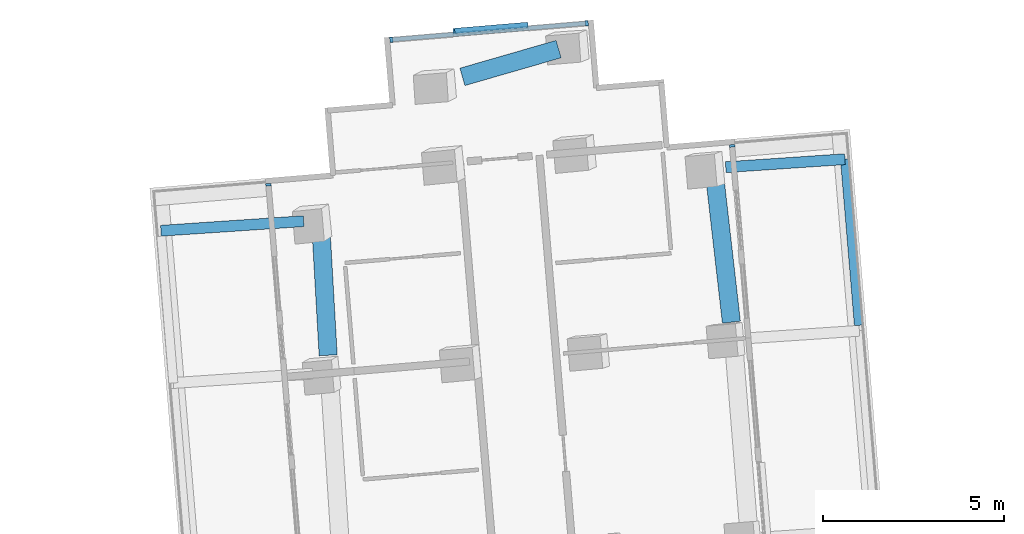
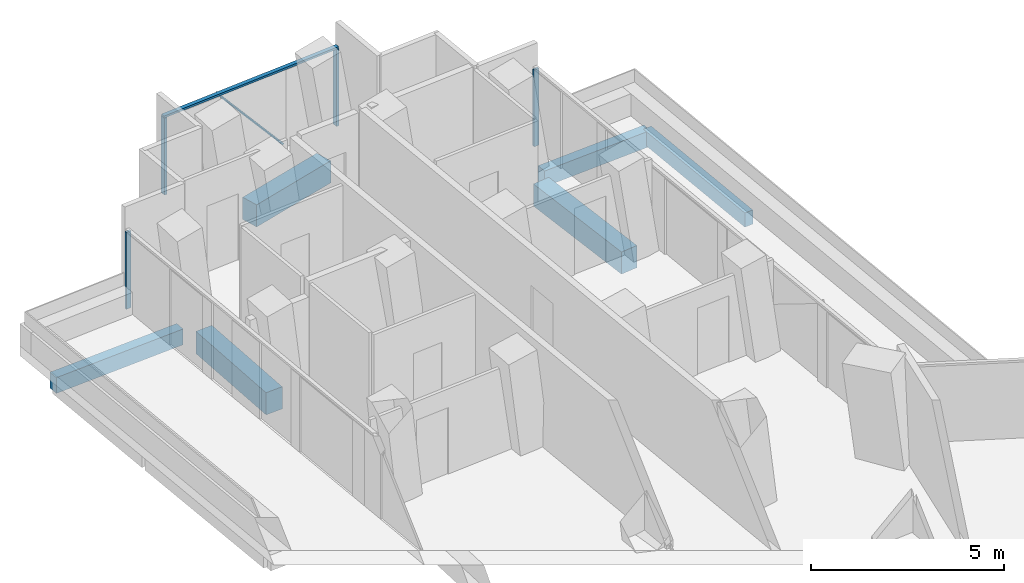
# One storey, part 12 of 26: 6 beams, 6 members, 3 elements without a shape of their own.
"""IFC4 building model written with IfcOpenShell, lengths in metres."""

from ifc_helpers import new_model, si_unit, direction, frame, origin, origin_2d, place, context, subcontext, project, spatial, rectangle, extrude, material, layer, layer_set, material_profile, profile_set, type_object, element, aggregate, save


model = new_model("IFC4")

# Units and contexts
model_context = context("Model", 3, precision=1e-05, world=origin(), true_north=direction((0.0, 1.0)))
body_context = subcontext(model_context, "Body", "Model", "MODEL_VIEW")
ifc_project = project(units=[si_unit("LENGTHUNIT", "METRE"), si_unit("AREAUNIT", "SQUARE_METRE"), si_unit("VOLUMEUNIT", "CUBIC_METRE"), si_unit("PLANEANGLEUNIT", "RADIAN"), si_unit("MASSUNIT", "GRAM", prefix="KILO")], contexts=[model_context])

# Site, building, storey
site_placement = place(None, origin())
site = spatial("IfcSite", under=ifc_project, at=site_placement, CompositionType="ELEMENT")
building_placement = place(site_placement, origin())
building = spatial("IfcBuilding", under=site, at=building_placement, Name="Verdalira Terraces Hotel", CompositionType="ELEMENT")
storey_placement = place(building_placement, frame((0.0, 0.0, 53.0)))
storey = spatial("IfcBuildingStorey", under=building, at=storey_placement, Name="L11", CompositionType="ELEMENT", Elevation=53.0)

# Beams
ifc_material_1 = material(Name="Concrete C40", Category="concrete")
ifc_material_profile_1 = material_profile(ifc_material_1, rectangle(XDim=0.300049, YDim=0.5, at=origin_2d()), Name="RC 300X500")
ifc_profile_set_1 = profile_set([ifc_material_profile_1], Name="Concrete C40")
beam_type_1 = type_object("IfcBeamType", Name="Balcony cantilever beam RC 300X500 C40", PredefinedType="BEAM", material=ifc_profile_set_1)
beam_1_placement = place(storey_placement, frame((2.827881, 40.412842, -0.560059), z_axis=(0.997757253, 0.066936272, 0.0), x_axis=(-0.066936272, 0.997757253, 0.0)))
element("IfcBeam", 1, at=beam_1_placement, inside=storey, type_object=beam_type_1, Name="Balcony cantilever beam R00-4", PredefinedType="BEAM", context=body_context, shape_type="SweptSolid", body=[
    extrude(rectangle(XDim=0.300049, YDim=0.5, at=origin_2d()), origin(), (0.0, 0.0, 1.0), 3.300781),
])
beam_2_placement = place(storey_placement, frame((-8.828857, 38.921875, -0.560059), z_axis=(-0.997753045, -0.066998966, 0.0), x_axis=(0.066998966, -0.997753045, 0.0)))
element("IfcBeam", 2, at=beam_2_placement, inside=storey, type_object=beam_type_1, Name="Balcony cantilever beam R10-4", PredefinedType="BEAM", context=body_context, shape_type="SweptSolid", body=[
    extrude(rectangle(XDim=0.300049, YDim=0.5, at=origin_2d()), origin(), (0.0, 0.0, 1.0), 3.949951),
])
ifc_material_2 = material(Name="Concrete C40", Category="concrete")
ifc_material_profile_2 = material_profile(ifc_material_2, rectangle(XDim=0.25, YDim=0.449951, at=origin_2d()), Name="RC 250X450")
ifc_profile_set_2 = profile_set([ifc_material_profile_2], Name="Concrete C40")
beam_type_2 = type_object("IfcBeamType", Name="Balcony edge beam RC 250X450 C40", PredefinedType="BEAM", material=ifc_profile_set_2)
beam_3_placement = place(storey_placement, frame((6.506592, 36.045166, -0.534912), z_axis=(-0.083664142, 0.99649401, 0.0), x_axis=(-0.99649401, -0.083664142, 0.0)))
element("IfcBeam", 3, at=beam_3_placement, inside=storey, type_object=beam_type_2, Name="Balcony edge beam R00-3", PredefinedType="BEAM", context=body_context, shape_type="SweptSolid", body=[
    extrude(rectangle(XDim=0.25, YDim=0.449951, at=origin_2d()), origin(), (0.0, 0.0, 1.0), 4.604736),
])

# Curtain wall, member
ifc_material_3 = material(Name="Clear glass", Category="glass")
ifc_layer_1 = layer(ifc_material_3, 0.14990234375)
ifc_layer_set_1 = layer_set([ifc_layer_1], Name="CW2 curtain wall")
curtain_wall_type_1 = type_object("IfcCurtainWallType", Name="CW2 curtain wall", PredefinedType="NOTDEFINED", material=ifc_layer_set_1)
curtain_wall_1_placement = place(storey_placement, origin())
curtain_wall_1 = element("IfcCurtainWall", 4, at=curtain_wall_1_placement, inside=storey, type_object=curtain_wall_type_1, Name="CW2 curtain wall L11 edge 0", PredefinedType="NOTDEFINED")
ifc_material_4 = material(Name="Terracotta frame", Category="masonry")
ifc_material_profile_3 = material_profile(ifc_material_4, rectangle(XDim=0.070068, YDim=0.149902, at=origin_2d()), Name="MU 70x150")
ifc_profile_set_3 = profile_set([ifc_material_profile_3], Name="Terracotta frame")
member_type_1 = type_object("IfcMemberType", Name="CW2 mullion 70x150", PredefinedType="MULLION", material=ifc_profile_set_3)
member_1_placement = place(storey_placement, frame((3.004639, 41.001221, 0.0), z_axis=(0.0, 0.0, 1.0), x_axis=(-0.083677843, 0.996492859, 0.0)))
member_1 = element("IfcMember", 5, at=member_1_placement, type_object=member_type_1, Name="CW2 mullion", PredefinedType="MULLION", context=body_context, shape_type="SweptSolid", body=[
    extrude(rectangle(XDim=0.070068, YDim=0.149902, at=origin_2d()), origin(), (0.0, 0.0, 1.0), 2.425049),
])
aggregate(curtain_wall_1, [member_1])

curtain_wall_2_placement = place(storey_placement, origin())
curtain_wall_2 = element("IfcCurtainWall", 6, at=curtain_wall_2_placement, inside=storey, type_object=curtain_wall_type_1, Name="CW2 curtain wall L11 edge 10", PredefinedType="NOTDEFINED")
member_2_placement = place(storey_placement, frame((-9.800293, 39.926025, 0.0), z_axis=(0.0, 0.0, 1.0), x_axis=(0.083677843, -0.996492859, 0.0)))
member_2 = element("IfcMember", 7, at=member_2_placement, type_object=member_type_1, Name="CW2 mullion", PredefinedType="MULLION", context=body_context, shape_type="SweptSolid", body=[
    extrude(rectangle(XDim=0.070068, YDim=0.149902, at=origin_2d()), origin(), (0.0, 0.0, 1.0), 2.425049),
])
aggregate(curtain_wall_2, [member_2])

# Curtain wall, members
ifc_material_5 = material(Name="Clear glass", Category="glass")
ifc_layer_2 = layer(ifc_material_5, 0.14990234375)
ifc_layer_set_2 = layer_set([ifc_layer_2], Name="CW3 curtain wall")
curtain_wall_type_2 = type_object("IfcCurtainWallType", Name="CW3 curtain wall", PredefinedType="NOTDEFINED", material=ifc_layer_set_2)
curtain_wall_3_placement = place(storey_placement, origin())
curtain_wall_3 = element("IfcCurtainWall", 8, at=curtain_wall_3_placement, inside=storey, type_object=curtain_wall_type_2, Name="CW3 curtain wall L11 edge 5", PredefinedType="NOTDEFINED")
ifc_material_6 = material(Name="Terracotta frame", Category="masonry")
ifc_material_profile_4 = material_profile(ifc_material_6, rectangle(XDim=0.080078, YDim=0.149902, at=origin_2d()), Name="MU 80x150")
ifc_profile_set_4 = profile_set([ifc_material_profile_4], Name="Terracotta frame")
member_type_2 = type_object("IfcMemberType", Name="CW3 mullion 80x150", PredefinedType="MULLION", material=ifc_profile_set_4)
member_3_placement = place(storey_placement, frame((-1.007812, 44.387451, 0.0), z_axis=(0.0, 0.0, 1.0), x_axis=(-0.996492859, -0.083677843, 0.0)))
member_3 = element("IfcMember", 9, at=member_3_placement, type_object=member_type_2, Name="CW3 mullion", PredefinedType="MULLION", context=body_context, shape_type="SweptSolid", body=[
    extrude(rectangle(XDim=0.080078, YDim=0.149902, at=origin_2d()), origin(), (0.0, 0.0, 1.0), 2.425049),
])
member_4_placement = place(storey_placement, frame((-6.408691, 43.933838, 0.0), z_axis=(0.0, 0.0, 1.0), x_axis=(-0.996492859, -0.083677843, 0.0)))
member_4 = element("IfcMember", 10, at=member_4_placement, type_object=member_type_2, Name="CW3 mullion", PredefinedType="MULLION", context=body_context, shape_type="SweptSolid", body=[
    extrude(rectangle(XDim=0.080078, YDim=0.149902, at=origin_2d()), origin(), (0.0, 0.0, 1.0), 2.425049),
])
ifc_material_7 = material(Name="Terracotta frame", Category="masonry")
ifc_material_profile_5 = material_profile(ifc_material_7, rectangle(XDim=0.120117, YDim=0.064941, at=origin_2d()), Name="TR 65x120")
ifc_profile_set_5 = profile_set([ifc_material_profile_5], Name="Terracotta frame")
member_type_3 = type_object("IfcMemberType", Name="CW3 transom 65x120", PredefinedType="USERDEFINED", material=ifc_profile_set_5)
member_5_placement = place(storey_placement, frame((-0.968018, 44.390625, 2.45752), z_axis=(-0.996493212, -0.083673647, 0.0), x_axis=(0.083673647, -0.996493212, 0.0)))
member_5 = element("IfcMember", 11, at=member_5_placement, type_object=member_type_3, Name="CW3 transom", ObjectType="TRANSOM", PredefinedType="USERDEFINED", context=body_context, shape_type="SweptSolid", body=[
    extrude(rectangle(XDim=0.120117, YDim=0.064941, at=origin_2d()), origin(), (0.0, 0.0, 1.0), 5.5),
])
ifc_material_8 = material(Name="Terracotta frame", Category="masonry")
ifc_material_profile_6 = material_profile(ifc_material_8, rectangle(XDim=0.149902, YDim=0.060059, at=origin_2d()), Name="GB 60x150")
ifc_profile_set_6 = profile_set([ifc_material_profile_6], Name="Terracotta frame")
member_type_4 = type_object("IfcMemberType", Name="Diagonal glazing bar 60x150", PredefinedType="USERDEFINED", material=ifc_profile_set_6)
member_6_placement = place(storey_placement, frame((-2.658203, 44.342041, 0.028076), z_axis=(-0.647935671, -0.054418766, 0.759748619), x_axis=(0.083693249, -0.996491565, 0.0)))
member_6 = element("IfcMember", 12, at=member_6_placement, type_object=member_type_4, Name="Diagonal glazing bar", ObjectType="GLAZING BAR", PredefinedType="USERDEFINED", context=body_context, shape_type="SweptSolid", body=[
    extrude(rectangle(XDim=0.149902, YDim=0.060059, at=origin_2d()), origin(), (0.0, 0.0, 1.0), 3.11792),
])
aggregate(curtain_wall_3, [member_3, member_4, member_5, member_6])

# Beams
ifc_material_9 = material(Name="Concrete C70", Category="concrete")
ifc_material_profile_7 = material_profile(ifc_material_9, rectangle(XDim=0.5, YDim=0.699951, at=origin_2d()), Name="RC 500X700")
ifc_profile_set_7 = profile_set([ifc_material_profile_7], Name="Concrete C70")
beam_type_3 = type_object("IfcBeamType", Name="Spandrel beam RC 500X700 C70", PredefinedType="SPANDREL", material=ifc_profile_set_7)
beam_4_placement = place(storey_placement, frame((2.984619, 36.132324, -0.659912), z_axis=(-0.11395641, 0.993485751, 0.0), x_axis=(-0.993485751, -0.11395641, 0.0)))
element("IfcBeam", 13, at=beam_4_placement, inside=storey, type_object=beam_type_3, Name="Spandrel beam B03", PredefinedType="SPANDREL", context=body_context, shape_type="SweptSolid", body=[
    extrude(rectangle(XDim=0.5, YDim=0.699951, at=origin_2d()), origin(), (0.0, 0.0, 1.0), 3.830566),
])
beam_5_placement = place(storey_placement, frame((-1.786621, 43.674561, -0.659912), z_axis=(-0.960747638, -0.277423822, 0.0), x_axis=(0.277423822, -0.960747638, 0.0)))
element("IfcBeam", 14, at=beam_5_placement, inside=storey, type_object=beam_type_3, Name="Spandrel beam B04", PredefinedType="SPANDREL", context=body_context, shape_type="SweptSolid", body=[
    extrude(rectangle(XDim=0.5, YDim=0.699951, at=origin_2d()), origin(), (0.0, 0.0, 1.0), 2.766846),
])
beam_6_placement = place(storey_placement, frame((-8.340088, 38.530762, -0.659912), z_axis=(0.05688423, -0.998380781, 0.0), x_axis=(0.998380781, 0.05688423, 0.0)))
element("IfcBeam", 15, at=beam_6_placement, inside=storey, type_object=beam_type_3, Name="Spandrel beam B05", PredefinedType="SPANDREL", context=body_context, shape_type="SweptSolid", body=[
    extrude(rectangle(XDim=0.5, YDim=0.699951, at=origin_2d()), origin(), (0.0, 0.0, 1.0), 3.317627),
])

save(model, "model.ifc")
